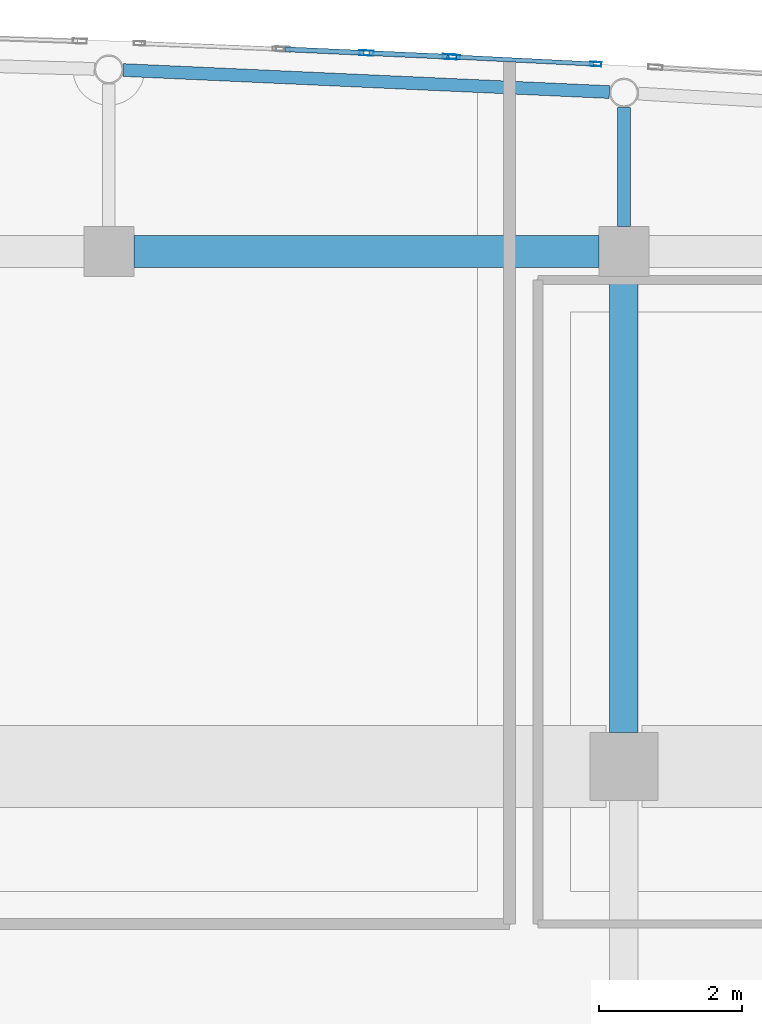
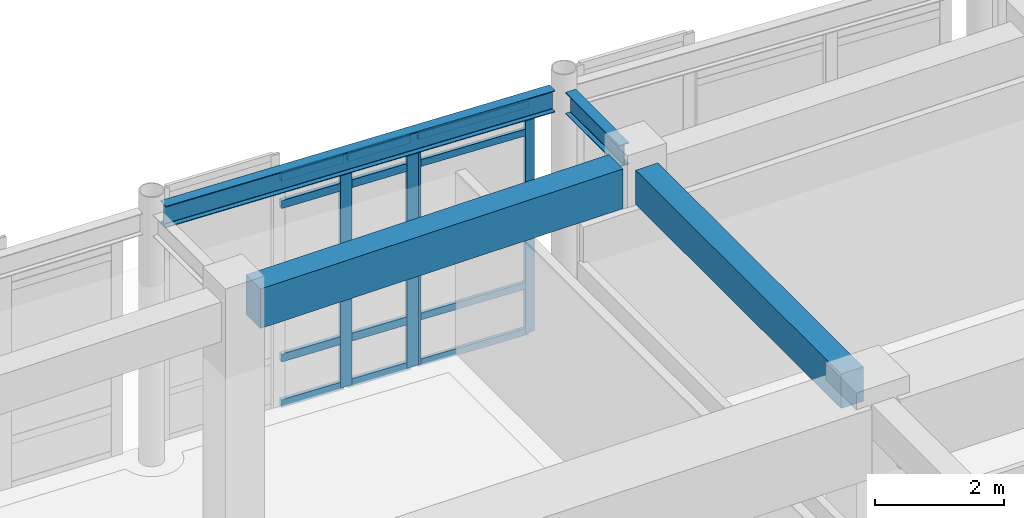
# One storey, part 53 of 117: 16 members, 4 beams, 2 elements without a shape of their own.
"""IFC4 building model written with IfcOpenShell, lengths in metres."""

from ifc_helpers import new_model, si_unit, direction, frame, origin, origin_2d, place, context, subcontext, project, spatial, rectangle, hollow_rectangle, i_section, extrude, material, layer, layer_set, material_profile, profile_set, type_object, element, aggregate, save


model = new_model("IFC4")

# Units and contexts
model_context = context("Model", 3, precision=1e-05, world=origin(), true_north=direction((0.0, 1.0)))
body_context = subcontext(model_context, "Body", "Model", "MODEL_VIEW")
ifc_project = project(units=[si_unit("LENGTHUNIT", "METRE"), si_unit("AREAUNIT", "SQUARE_METRE"), si_unit("VOLUMEUNIT", "CUBIC_METRE"), si_unit("PLANEANGLEUNIT", "RADIAN"), si_unit("MASSUNIT", "GRAM", prefix="KILO")], contexts=[model_context])

# Site, building, storey
site_placement = place(None, origin())
site = spatial("IfcSite", under=ifc_project, at=site_placement, CompositionType="ELEMENT")
building_placement = place(site_placement, origin())
building = spatial("IfcBuilding", under=site, at=building_placement, Name="Carrowvane Square Congress Hotel", CompositionType="ELEMENT")
storey_placement = place(building_placement, frame((0.0, 0.0, 5.39990234375)))
storey = spatial("IfcBuildingStorey", under=building, at=storey_placement, Name="L01", CompositionType="ELEMENT", Elevation=5.39990234375)

# Beams
ifc_material_1 = material(Name="Concrete C35/45", Category="concrete")
ifc_material_profile_1 = material_profile(ifc_material_1, rectangle(XDim=0.39990234375, YDim=0.64990234375, at=origin_2d()), Name="RC 400x650")
ifc_profile_set_1 = profile_set([ifc_material_profile_1], Name="Concrete C35/45")
beam_type_1 = type_object("IfcBeamType", Name="BM-RC-400x650", PredefinedType="BEAM", material=ifc_profile_set_1)
beam_1_placement = place(storey_placement, frame((119.60009765625, 106.675048828125, 4.455078125), z_axis=(0.0, 1.0, 0.0), x_axis=(-1.0, 0.0, 0.0)))
element("IfcBeam", 1, at=beam_1_placement, inside=storey, type_object=beam_type_1, Name="L02 girder 16/Q-R", PredefinedType="BEAM", context=body_context, shape_type="SweptSolid", body=[
    extrude(rectangle(XDim=0.39990234375, YDim=0.64990234375, at=origin_2d()), origin(), (0.0, 0.0, 1.0), 6.375),
])
ifc_material_2 = material(Name="Concrete C35/45", Category="concrete")
ifc_material_profile_2 = material_profile(ifc_material_2, rectangle(XDim=0.449951171875, YDim=0.75, at=origin_2d()), Name="RC 450x750")
ifc_profile_set_2 = profile_set([ifc_material_profile_2], Name="Concrete C35/45")
beam_type_2 = type_object("IfcBeamType", Name="BM-RC-450x750", PredefinedType="USERDEFINED", material=ifc_profile_set_2)
beam_2_placement = place(storey_placement, frame((112.75, 113.39990234375, 4.405029296875), z_axis=(1.0, 0.0, 0.0), x_axis=(0.0, 1.0, 0.0)))
element("IfcBeam", 2, at=beam_2_placement, inside=storey, type_object=beam_type_2, Name="L02 girder R/15-16", ObjectType="GIRDER", PredefinedType="USERDEFINED", context=body_context, shape_type="SweptSolid", body=[
    extrude(rectangle(XDim=0.449951171875, YDim=0.75, at=origin_2d()), origin(), (0.0, 0.0, 1.0), 6.5),
])
ifc_material_3 = material(Name="Steel S355", Category="steel")
ifc_material_profile_3 = material_profile(ifc_material_3, i_section(OverallWidth=0.1787109375, OverallDepth=0.409423828125, WebThickness=0.0087890625, FlangeThickness=0.014404296875, FilletRadius=0.01025390625, at=origin_2d()), Name="UKB 406x178x67")
ifc_profile_set_3 = profile_set([ifc_material_profile_3], Name="Steel S355")
beam_type_3 = type_object("IfcBeamType", Name="BM-ST-UKB406", PredefinedType="BEAM", material=ifc_profile_set_3)
beam_3_placement = place(storey_placement, frame((112.60302734375, 115.934814453125, 4.575439453125), z_axis=(0.998973271848, -0.045303445058, 0.0), x_axis=(0.045303445058, 0.998973271848, 0.0)))
element("IfcBeam", 3, at=beam_3_placement, inside=storey, type_object=beam_type_3, Name="L02 curved north spandrel", PredefinedType="BEAM", context=body_context, shape_type="SweptSolid", body=[
    extrude(i_section(OverallWidth=0.1787109375, OverallDepth=0.409423828125, WebThickness=0.0087890625, FlangeThickness=0.014404296875, FilletRadius=0.01025390625, at=origin_2d()), origin(), (0.0, 0.0, 1.0), 6.801025390625),
])
beam_4_placement = place(storey_placement, frame((119.60009765625, 113.75, 4.575439453125), z_axis=(0.0, 1.0, 0.0), x_axis=(-1.0, 0.0, 0.0)))
element("IfcBeam", 4, at=beam_4_placement, inside=storey, type_object=beam_type_3, Name="L02 radial north beam 16", PredefinedType="BEAM", context=body_context, shape_type="SweptSolid", body=[
    extrude(i_section(OverallWidth=0.1787109375, OverallDepth=0.409423828125, WebThickness=0.0087890625, FlangeThickness=0.014404296875, FilletRadius=0.01025390625, at=origin_2d()), origin(), (0.0, 0.0, 1.0), 1.664306640625),
])

# Curtain wall, members
ifc_material_4 = material(Name="Anodised aluminium", Category="aluminium")
ifc_layer_1 = layer(ifc_material_4, 0.162109375)
ifc_layer_set_1 = layer_set([ifc_layer_1], Name="Anodised aluminium")
curtain_wall_type_1 = type_object("IfcCurtainWallType", Name="CW-SYS-1", PredefinedType="NOTDEFINED", material=ifc_layer_set_1)
curtain_wall_1_placement = place(storey_placement, origin())
curtain_wall_1 = element("IfcCurtainWall", 5, at=curtain_wall_1_placement, inside=storey, type_object=curtain_wall_type_1, Name="L01 unitised curtain wall 96", PredefinedType="NOTDEFINED")
ifc_material_5 = material(Name="Anodised aluminium", Category="aluminium")
ifc_material_profile_4 = material_profile(ifc_material_5, hollow_rectangle(XDim=0.06005859375, YDim=0.159912109375, WallThickness=0.00390625, at=origin_2d()), Name="CW-ML 60x160x4")
ifc_profile_set_4 = profile_set([ifc_material_profile_4], Name="Anodised aluminium")
member_type_1 = type_object("IfcMemberType", Name="CW-MUL-1", PredefinedType="MULLION", material=ifc_profile_set_4)
member_1_placement = place(storey_placement, frame((117.22998046875, 116.116943359375, 0.0), z_axis=(0.0, 0.0, 1.0), x_axis=(0.050323791596, 0.998732955299, 0.0)))
member_1 = element("IfcMember", 6, at=member_1_placement, type_object=member_type_1, Name="CW-1 mullion 1", PredefinedType="MULLION", context=body_context, shape_type="SweptSolid", body=[
    extrude(hollow_rectangle(XDim=0.06005859375, YDim=0.159912109375, WallThickness=0.00390625, at=origin_2d()), origin(), (0.0, 0.0, 1.0), 4.355712890625),
])
member_2_placement = place(storey_placement, frame((119.20556640625, 116.017578125, 0.0), z_axis=(0.0, 0.0, 1.0), x_axis=(0.050323791596, 0.998732955299, 0.0)))
member_2 = element("IfcMember", 7, at=member_2_placement, type_object=member_type_1, Name="CW-1 mullion 2", PredefinedType="MULLION", context=body_context, shape_type="SweptSolid", body=[
    extrude(hollow_rectangle(XDim=0.06005859375, YDim=0.159912109375, WallThickness=0.00390625, at=origin_2d()), origin(), (0.0, 0.0, 1.0), 4.355712890625),
])

ifc_material_6 = material(Name="Anodised aluminium", Category="aluminium")
ifc_layer_2 = layer(ifc_material_6, 0.24609375)
ifc_layer_set_2 = layer_set([ifc_layer_2], Name="Anodised aluminium")
curtain_wall_type_2 = type_object("IfcCurtainWallType", Name="CW-SYS-8", PredefinedType="NOTDEFINED", material=ifc_layer_set_2)
curtain_wall_2_placement = place(storey_placement, origin())
curtain_wall_2 = element("IfcCurtainWall", 8, at=curtain_wall_2_placement, inside=storey, type_object=curtain_wall_type_2, Name="L01 unitised curtain wall 95", PredefinedType="NOTDEFINED")
ifc_material_7 = material(Name="Anodised aluminium", Category="aluminium")
ifc_material_profile_5 = material_profile(ifc_material_7, hollow_rectangle(XDim=0.070068359375, YDim=0.199951171875, WallThickness=0.0048828125, at=origin_2d()), Name="CW-ML 70x200x5")
ifc_profile_set_5 = profile_set([ifc_material_profile_5], Name="Anodised aluminium")
member_type_2 = type_object("IfcMemberType", Name="CW-MUL-2", PredefinedType="MULLION", material=ifc_profile_set_5)
member_3_placement = place(storey_placement, frame((116.0, 116.173095703125, 0.0), z_axis=(0.0, 0.0, 1.0), x_axis=(0.045411059449, 0.998968385726, 0.0)))
member_3 = element("IfcMember", 9, at=member_3_placement, type_object=member_type_2, Name="CW-8 mullion 2", PredefinedType="MULLION", context=body_context, shape_type="SweptSolid", body=[
    extrude(hollow_rectangle(XDim=0.070068359375, YDim=0.199951171875, WallThickness=0.0048828125, at=origin_2d()), origin(), (0.0, 0.0, 1.0), 4.355712890625),
])
member_4_placement = place(storey_placement, frame((117.1650390625, 116.1201171875, 0.0), z_axis=(0.0, 0.0, 1.0), x_axis=(0.045411059449, 0.998968385726, 0.0)))
member_4 = element("IfcMember", 10, at=member_4_placement, type_object=member_type_2, Name="CW-8 mullion 3", PredefinedType="MULLION", context=body_context, shape_type="SweptSolid", body=[
    extrude(hollow_rectangle(XDim=0.070068359375, YDim=0.199951171875, WallThickness=0.0048828125, at=origin_2d()), origin(), (0.0, 0.0, 1.0), 4.355712890625),
])

# Member
ifc_material_8 = material(Name="Anodised aluminium", Category="aluminium")
ifc_material_profile_6 = material_profile(ifc_material_8, hollow_rectangle(XDim=0.06005859375, YDim=0.1298828125, WallThickness=0.00390625, at=origin_2d()), Name="CW-TR 60x130x4")
ifc_profile_set_6 = profile_set([ifc_material_profile_6], Name="Anodised aluminium")
member_type_3 = type_object("IfcMemberType", Name="CW-TRN-1", PredefinedType="USERDEFINED", material=ifc_profile_set_6)
member_5_placement = place(storey_placement, frame((117.260009765625, 116.115478515625, 0.030029296875), z_axis=(0.998735138435, -0.050280446047, 0.0), x_axis=(0.050280446047, 0.998735138435, 0.0)))
member_5 = element("IfcMember", 11, at=member_5_placement, type_object=member_type_3, Name="CW-1 transom 1.1", ObjectType="TRANSOM", PredefinedType="USERDEFINED", context=body_context, shape_type="SweptSolid", body=[
    extrude(hollow_rectangle(XDim=0.06005859375, YDim=0.1298828125, WallThickness=0.00390625, at=origin_2d()), origin(), (0.0, 0.0, 1.0), 1.91796875),
])

member_6_placement = place(storey_placement, frame((117.260009765625, 116.115478515625, 0.900146484375), z_axis=(0.998735138435, -0.050280446047, 0.0), x_axis=(0.050280446047, 0.998735138435, 0.0)))
member_6 = element("IfcMember", 12, at=member_6_placement, type_object=member_type_3, Name="CW-1 transom 1.2", ObjectType="TRANSOM", PredefinedType="USERDEFINED", context=body_context, shape_type="SweptSolid", body=[
    extrude(hollow_rectangle(XDim=0.06005859375, YDim=0.1298828125, WallThickness=0.00390625, at=origin_2d()), origin(), (0.0, 0.0, 1.0), 1.91796875),
])

member_7_placement = place(storey_placement, frame((117.260009765625, 116.115478515625, 3.8056640625), z_axis=(0.998735138435, -0.050280446047, 0.0), x_axis=(0.050280446047, 0.998735138435, 0.0)))
member_7 = element("IfcMember", 13, at=member_7_placement, type_object=member_type_3, Name="CW-1 transom 1.3", ObjectType="TRANSOM", PredefinedType="USERDEFINED", context=body_context, shape_type="SweptSolid", body=[
    extrude(hollow_rectangle(XDim=0.06005859375, YDim=0.1298828125, WallThickness=0.00390625, at=origin_2d()), origin(), (0.0, 0.0, 1.0), 1.91796875),
])

member_8_placement = place(storey_placement, frame((117.260009765625, 116.115478515625, 4.32568359375), z_axis=(0.998735138435, -0.050280446047, 0.0), x_axis=(0.050280446047, 0.998735138435, 0.0)))
member_8 = element("IfcMember", 14, at=member_8_placement, type_object=member_type_3, Name="CW-1 transom 1.4", ObjectType="TRANSOM", PredefinedType="USERDEFINED", context=body_context, shape_type="SweptSolid", body=[
    extrude(hollow_rectangle(XDim=0.06005859375, YDim=0.1298828125, WallThickness=0.00390625, at=origin_2d()), origin(), (0.0, 0.0, 1.0), 1.91796875),
])

aggregate(curtain_wall_1, [member_1, member_2, member_5, member_6, member_7, member_8])

ifc_material_9 = material(Name="Anodised aluminium", Category="aluminium")
ifc_material_profile_7 = material_profile(ifc_material_9, hollow_rectangle(XDim=0.070068359375, YDim=0.14990234375, WallThickness=0.0048828125, at=origin_2d()), Name="CW-TR 70x150x5")
ifc_profile_set_7 = profile_set([ifc_material_profile_7], Name="Anodised aluminium")
member_type_4 = type_object("IfcMemberType", Name="CW-TRN-2", PredefinedType="USERDEFINED", material=ifc_profile_set_7)
member_9_placement = place(storey_placement, frame((114.869873046875, 116.224365234375, 0.03515625), z_axis=(0.998967621715, -0.045427863315, 0.0), x_axis=(0.045427863315, 0.998967621715, 0.0)))
member_9 = element("IfcMember", 15, at=member_9_placement, type_object=member_type_4, Name="CW-8 transom 1.1", ObjectType="TRANSOM", PredefinedType="USERDEFINED", context=body_context, shape_type="SweptSolid", body=[
    extrude(hollow_rectangle(XDim=0.070068359375, YDim=0.14990234375, WallThickness=0.0048828125, at=origin_2d()), origin(), (0.0, 0.0, 1.0), 1.096435546875),
])

member_10_placement = place(storey_placement, frame((114.869873046875, 116.224365234375, 0.900146484375), z_axis=(0.998967621715, -0.045427863315, 0.0), x_axis=(0.045427863315, 0.998967621715, 0.0)))
member_10 = element("IfcMember", 16, at=member_10_placement, type_object=member_type_4, Name="CW-8 transom 1.2", ObjectType="TRANSOM", PredefinedType="USERDEFINED", context=body_context, shape_type="SweptSolid", body=[
    extrude(hollow_rectangle(XDim=0.070068359375, YDim=0.14990234375, WallThickness=0.0048828125, at=origin_2d()), origin(), (0.0, 0.0, 1.0), 1.096435546875),
])

member_11_placement = place(storey_placement, frame((114.869873046875, 116.224365234375, 3.8056640625), z_axis=(0.998967621715, -0.045427863315, 0.0), x_axis=(0.045427863315, 0.998967621715, 0.0)))
member_11 = element("IfcMember", 17, at=member_11_placement, type_object=member_type_4, Name="CW-8 transom 1.3", ObjectType="TRANSOM", PredefinedType="USERDEFINED", context=body_context, shape_type="SweptSolid", body=[
    extrude(hollow_rectangle(XDim=0.070068359375, YDim=0.14990234375, WallThickness=0.0048828125, at=origin_2d()), origin(), (0.0, 0.0, 1.0), 1.096435546875),
])

member_12_placement = place(storey_placement, frame((114.869873046875, 116.224365234375, 4.32080078125), z_axis=(0.998967621715, -0.045427863315, 0.0), x_axis=(0.045427863315, 0.998967621715, 0.0)))
member_12 = element("IfcMember", 18, at=member_12_placement, type_object=member_type_4, Name="CW-8 transom 1.4", ObjectType="TRANSOM", PredefinedType="USERDEFINED", context=body_context, shape_type="SweptSolid", body=[
    extrude(hollow_rectangle(XDim=0.070068359375, YDim=0.14990234375, WallThickness=0.0048828125, at=origin_2d()), origin(), (0.0, 0.0, 1.0), 1.096435546875),
])

member_13_placement = place(storey_placement, frame((116.034912109375, 116.17138671875, 0.03515625), z_axis=(0.998967621715, -0.045427863315, 0.0), x_axis=(0.045427863315, 0.998967621715, 0.0)))
member_13 = element("IfcMember", 19, at=member_13_placement, type_object=member_type_4, Name="CW-8 transom 2.1", ObjectType="TRANSOM", PredefinedType="USERDEFINED", context=body_context, shape_type="SweptSolid", body=[
    extrude(hollow_rectangle(XDim=0.070068359375, YDim=0.14990234375, WallThickness=0.0048828125, at=origin_2d()), origin(), (0.0, 0.0, 1.0), 1.096435546875),
])

member_14_placement = place(storey_placement, frame((116.034912109375, 116.17138671875, 0.900146484375), z_axis=(0.998967621715, -0.045427863315, 0.0), x_axis=(0.045427863315, 0.998967621715, 0.0)))
member_14 = element("IfcMember", 20, at=member_14_placement, type_object=member_type_4, Name="CW-8 transom 2.2", ObjectType="TRANSOM", PredefinedType="USERDEFINED", context=body_context, shape_type="SweptSolid", body=[
    extrude(hollow_rectangle(XDim=0.070068359375, YDim=0.14990234375, WallThickness=0.0048828125, at=origin_2d()), origin(), (0.0, 0.0, 1.0), 1.096435546875),
])

member_15_placement = place(storey_placement, frame((116.034912109375, 116.17138671875, 3.8056640625), z_axis=(0.998967621715, -0.045427863315, 0.0), x_axis=(0.045427863315, 0.998967621715, 0.0)))
member_15 = element("IfcMember", 21, at=member_15_placement, type_object=member_type_4, Name="CW-8 transom 2.3", ObjectType="TRANSOM", PredefinedType="USERDEFINED", context=body_context, shape_type="SweptSolid", body=[
    extrude(hollow_rectangle(XDim=0.070068359375, YDim=0.14990234375, WallThickness=0.0048828125, at=origin_2d()), origin(), (0.0, 0.0, 1.0), 1.096435546875),
])

member_16_placement = place(storey_placement, frame((116.034912109375, 116.17138671875, 4.32080078125), z_axis=(0.998967621715, -0.045427863315, 0.0), x_axis=(0.045427863315, 0.998967621715, 0.0)))
member_16 = element("IfcMember", 22, at=member_16_placement, type_object=member_type_4, Name="CW-8 transom 2.4", ObjectType="TRANSOM", PredefinedType="USERDEFINED", context=body_context, shape_type="SweptSolid", body=[
    extrude(hollow_rectangle(XDim=0.070068359375, YDim=0.14990234375, WallThickness=0.0048828125, at=origin_2d()), origin(), (0.0, 0.0, 1.0), 1.096435546875),
])

aggregate(curtain_wall_2, [member_3, member_4, member_9, member_10, member_11, member_12, member_13, member_14, member_15, member_16])

save(model, "model.ifc")
